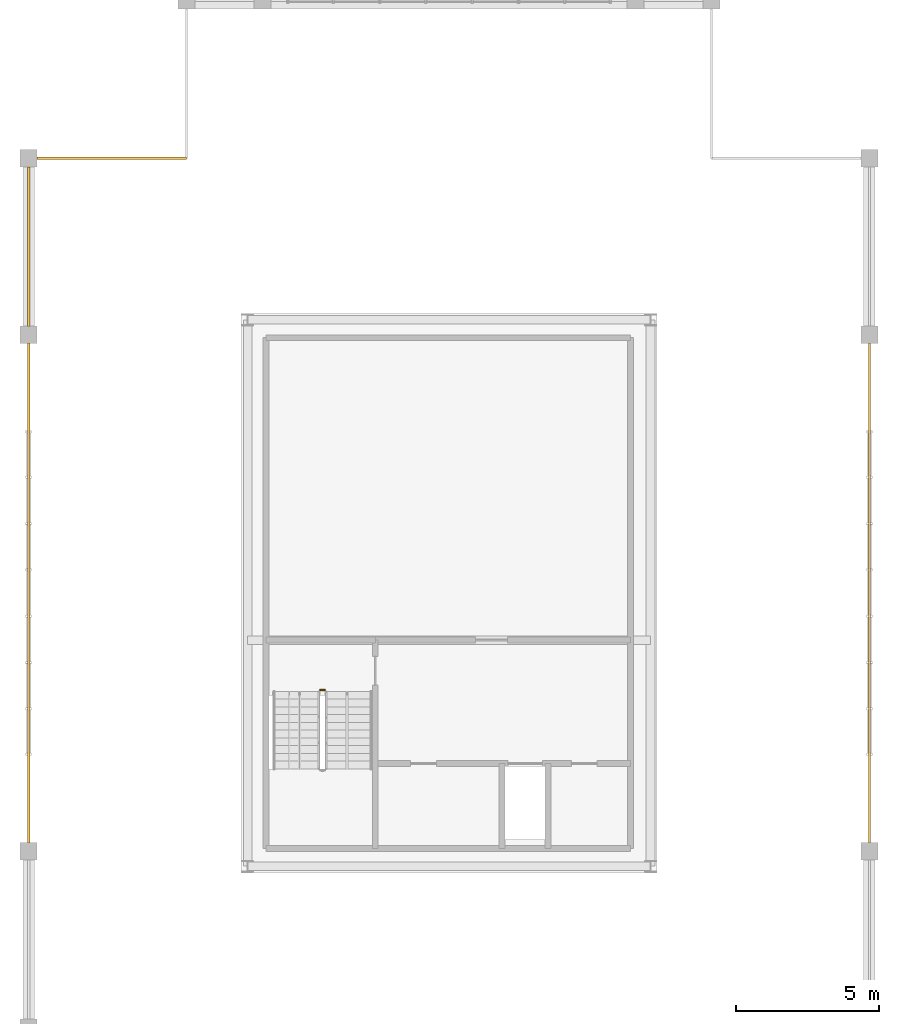
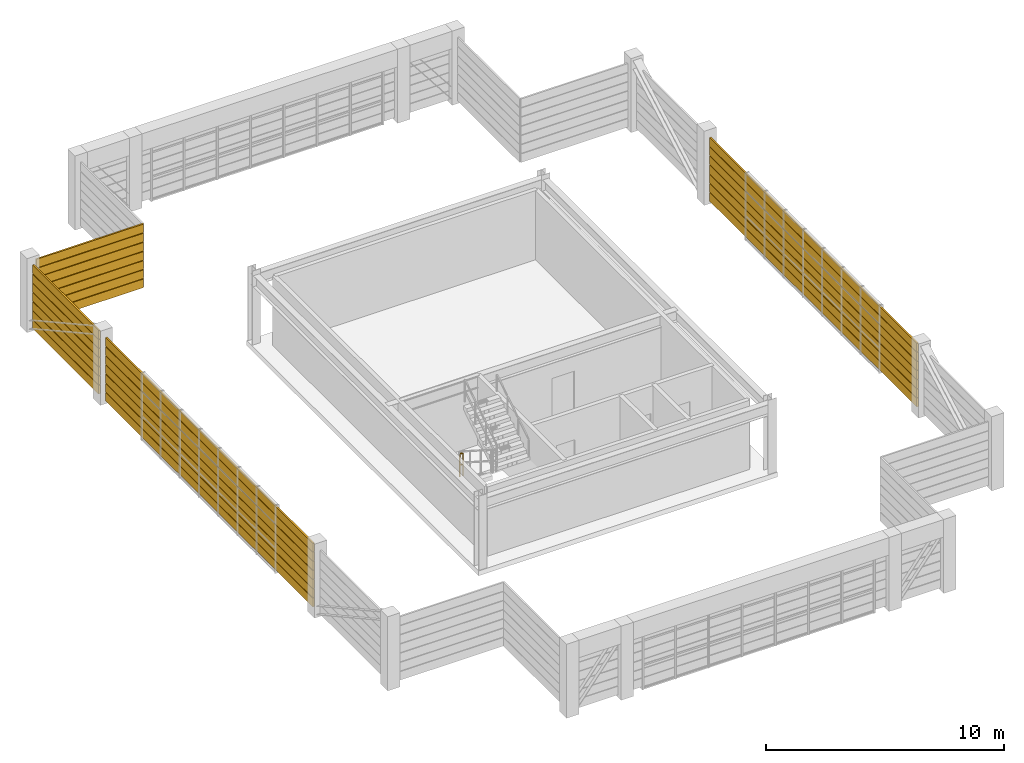
# One storey, part 20 of 21: 28 shading devices, 1 railing.
"""IFC4 building model written with IfcOpenShell, lengths in metres."""

import ifcopenshell
import ifcopenshell.guid

model = None  # the IFC model being written
_history = None  # IfcOwnerHistory: only IFC2X3 demands one
_inside = {}  # id of a spatial element -> (the spatial element, [elements in it])
_under = {}  # id of a project, library or spatial element -> (it, [spatial elements below it])
_declared = {}  # id of a project -> (the project, [libraries it declares])
_typed = {}  # id of a type object -> (the type object, [elements of that type])
_made_of = {}  # id of a material, layer set ... -> (it, [elements and type objects made of it])


def new_model(schema):
    """Start an empty IFC model of exactly this schema.

    Asked for "IFC4X3", IfcOpenShell would pick the latest addendum, in which some entities
    have other attributes; the version numbers below select the first issue.
    IFC2X3 requires an IfcOwnerHistory on every rooted entity: one is made here for all.
    """
    global model, _history
    if schema == "IFC4X3":
        model = ifcopenshell.file(schema_version=(4, 3, 0, 0))
    else:
        model = ifcopenshell.file(schema=schema)
    _inside.clear()
    _under.clear()
    _declared.clear()
    _typed.clear()
    _made_of.clear()
    _history = None
    if model.schema == "IFC2X3":
        org = make("IfcOrganization", Name="unknown")
        user = make(
            "IfcPersonAndOrganization",
            ThePerson=make("IfcPerson", FamilyName="unknown"),
            TheOrganization=org,
        )
        app = make(
            "IfcApplication",
            ApplicationDeveloper=org,
            Version="unknown",
            ApplicationFullName="unknown",
            ApplicationIdentifier="unknown",
        )
        _history = make(
            "IfcOwnerHistory",
            OwningUser=user,
            OwningApplication=app,
            ChangeAction="ADDED",
            CreationDate=0,
        )
    return model


def make(cls, **values):
    """One entity of the class cls with the attributes given. An attribute that is None is left unset."""
    return model.create_entity(
        cls, **{name: value for name, value in values.items() if value is not None}
    )


def rooted(cls, **values):
    """An entity with a GlobalId (a new one), such as an element, a storey or a relation."""
    return make(cls, GlobalId=ifcopenshell.guid.new(), OwnerHistory=_history, **values)


def si_unit(unit_type, name, prefix=None):
    """IfcSIUnit, for example si_unit("LENGTHUNIT", "METRE", prefix="MILLI")."""
    return make("IfcSIUnit", UnitType=unit_type, Prefix=prefix, Name=name)


def assignment(units):
    """IfcUnitAssignment: the units of a project."""
    return None if units is None else make("IfcUnitAssignment", Units=units)


def point(xyz):
    """IfcCartesianPoint."""
    return None if xyz is None else make("IfcCartesianPoint", Coordinates=xyz)


def direction(xyz):
    """IfcDirection."""
    return None if xyz is None else make("IfcDirection", DirectionRatios=xyz)


def frame(location, z_axis=None, x_axis=None):
    """IfcAxis2Placement3D, a coordinate frame: its origin and axes. An axis left out is left unset."""
    return make(
        "IfcAxis2Placement3D",
        Location=point(location),
        Axis=direction(z_axis),
        RefDirection=direction(x_axis),
    )


def frame_2d(location, x_axis=None):
    """IfcAxis2Placement2D, a coordinate frame in the plane: its origin and x axis."""
    return make(
        "IfcAxis2Placement2D", Location=point(location), RefDirection=direction(x_axis)
    )


def origin():
    """The frame at (0, 0, 0) with its axes left unset."""
    return frame((0.0, 0.0, 0.0))


def origin_2d():
    """The frame at (0, 0) in the plane with its x axis left unset."""
    return frame_2d((0.0, 0.0))


def place(relative_to, where):
    """IfcLocalPlacement: puts the frame where relative to a parent placement (None: the world)."""
    return make(
        "IfcLocalPlacement", PlacementRelTo=relative_to, RelativePlacement=where
    )


def context(
    kind, dimensions, precision=None, world=None, true_north=None, identifier=None
):
    """IfcGeometricRepresentationContext, for example the 3D "Model" context."""
    return make(
        "IfcGeometricRepresentationContext",
        ContextIdentifier=identifier,
        ContextType=kind,
        CoordinateSpaceDimension=dimensions,
        Precision=precision,
        WorldCoordinateSystem=world,
        TrueNorth=true_north,
    )


def subcontext(parent, identifier, kind, view, scale=None):
    """IfcGeometricRepresentationSubContext, for example "Body" below "Model"."""
    return make(
        "IfcGeometricRepresentationSubContext",
        ContextIdentifier=identifier,
        ContextType=kind,
        ParentContext=parent,
        TargetScale=scale,
        TargetView=view,
    )


def project(units=None, contexts=None):
    """IfcProject with its units and contexts."""
    return rooted(
        "IfcProject",
        Name="project",
        RepresentationContexts=contexts,
        UnitsInContext=assignment(units),
    )


def spatial(cls, under=None, at=None, **own):
    """A site, building, storey or space (cls), placed at a placement, below another one or the project."""
    s = rooted(cls, ObjectPlacement=at, **own)
    if under is not None:
        _under.setdefault(under.id(), (under, []))[1].append(s)
    return s


def profile(cls, at=None, kind="AREA", **sizes):
    """A parametric profile (cls). Its sizes go by their IFC names, for example OverallWidth=200.0."""
    return make(cls, ProfileType=kind, Position=at, **sizes)


def rectangle(**sizes):
    """IfcRectangleProfileDef."""
    return profile("IfcRectangleProfileDef", **sizes)


def extrude(swept, where, along, depth):
    """IfcExtrudedAreaSolid: the profile swept, set in the frame where, extruded along a direction by depth."""
    return make(
        "IfcExtrudedAreaSolid",
        SweptArea=swept,
        Position=where,
        ExtrudedDirection=direction(along),
        Depth=depth,
    )


def shape(context_of_items, identifier, shape_type, items):
    """IfcShapeRepresentation: the items that make up one representation, for example the "Body"."""
    return make(
        "IfcShapeRepresentation",
        ContextOfItems=context_of_items,
        RepresentationIdentifier=identifier,
        RepresentationType=shape_type,
        Items=items,
    )


def source(mapping_origin, context_of_items, identifier, shape_type, items):
    """IfcRepresentationMap: a shape defined once, which mapped items show again and again."""
    return make(
        "IfcRepresentationMap",
        MappingOrigin=mapping_origin,
        MappedRepresentation=shape(context_of_items, identifier, shape_type, items),
    )


def transform(
    local_origin,
    x_axis=None,
    y_axis=None,
    z_axis=None,
    scale=None,
    scale2=None,
    scale3=None,
    uniform=True,
):
    """IfcCartesianTransformationOperator3D, or its non-uniform kind. x_axis, y_axis, z_axis: its Axis1, 2, 3."""
    if uniform:
        return make(
            "IfcCartesianTransformationOperator3D",
            Axis1=direction(x_axis),
            Axis2=direction(y_axis),
            LocalOrigin=point(local_origin),
            Scale=scale,
            Axis3=direction(z_axis),
        )
    return make(
        "IfcCartesianTransformationOperator3DnonUniform",
        Axis1=direction(x_axis),
        Axis2=direction(y_axis),
        LocalOrigin=point(local_origin),
        Scale=scale,
        Axis3=direction(z_axis),
        Scale2=scale2,
        Scale3=scale3,
    )


def mapped(mapping_source, mapping_target):
    """IfcMappedItem: shows the shape of a source again, moved by a transform."""
    return make(
        "IfcMappedItem", MappingSource=mapping_source, MappingTarget=mapping_target
    )


def material(Name=None, Category=None):
    """IfcMaterial."""
    return make("IfcMaterial", Name=Name, Category=Category)


def material_profile(
    of_material, cross_section, Name=None, Category=None, Priority=None
):
    """IfcMaterialProfile: a cross section and its material."""
    return make(
        "IfcMaterialProfile",
        Name=Name,
        Material=of_material,
        Profile=cross_section,
        Priority=Priority,
        Category=Category,
    )


def profile_set(profiles, Name=None, composite=None):
    """IfcMaterialProfileSet."""
    return make(
        "IfcMaterialProfileSet",
        Name=Name,
        MaterialProfiles=profiles,
        CompositeProfile=composite,
    )


def made_of(thing, what):
    """Note that an element or type object is made of a material, layer set ...; save() writes the relation."""
    if what is not None:
        _made_of.setdefault(what.id(), (what, []))[1].append(thing)
    return thing


def type_object(cls, material=None, **own):
    """A type object (cls), such as IfcWallType, which elements share."""
    return made_of(rooted(cls, **own), material)


def element(
    cls,
    number,
    at=None,
    inside=None,
    cuts=None,
    type_object=None,
    material=None,
    context=None,
    identifier="Body",
    shape_type=None,
    held_by="IfcProductDefinitionShape",
    body=None,
    shapes=None,
    **own,
):
    """One element of the class cls, such as IfcWall. Its Tag is "e" and its number.

    at: its placement. inside: the storey or other place that contains it. cuts: it is an
    opening in that element (IfcRelVoidsElement). A single representation is given by context,
    identifier, shape_type and body (its items); several are given by shapes. held_by: the class
    of the entity that holds the representations. save() writes the other relations.
    """
    e = rooted(cls, Tag="e%d" % number, ObjectPlacement=at, **own)
    if body is not None:
        shapes = [shape(context, identifier, shape_type, body)]
    if shapes is not None:
        e.Representation = make(held_by, Representations=shapes)
    if inside is not None:
        _inside.setdefault(inside.id(), (inside, []))[1].append(e)
    if cuts is not None:
        rooted(
            "IfcRelVoidsElement", RelatingBuildingElement=cuts, RelatedOpeningElement=e
        )
    if type_object is not None:
        _typed.setdefault(type_object.id(), (type_object, []))[1].append(e)
    return made_of(e, material)


def aggregate(whole, parts):
    """IfcRelAggregates: a whole, such as a stair, and the parts it consists of."""
    return rooted("IfcRelAggregates", RelatingObject=whole, RelatedObjects=parts)


def save(model, path):
    """Write the relations noted so far, then the file.

    IfcRelAggregates (storeys below a building ...), IfcRelContainedInSpatialStructure (elements
    in a storey), IfcRelDefinesByType, IfcRelAssociatesMaterial and IfcRelDeclares: one each for
    every whole, place, type object, material and project.
    """
    for whole, parts in _under.values():
        aggregate(whole, parts)
    for where, things in _inside.values():
        rooted(
            "IfcRelContainedInSpatialStructure",
            RelatedElements=things,
            RelatingStructure=where,
        )
    for kind, things in _typed.values():
        rooted("IfcRelDefinesByType", RelatedObjects=things, RelatingType=kind)
    for what, things in _made_of.values():
        rooted("IfcRelAssociatesMaterial", RelatedObjects=things, RelatingMaterial=what)
    for by, libraries in _declared.values():
        rooted("IfcRelDeclares", RelatingContext=by, RelatedDefinitions=libraries)
    model.write(path)


model = new_model("IFC4")

# Units and contexts
model_context = context("Model", 3, precision=1e-05, world=origin(), true_north=direction((0.0, 1.0)))
body_context = subcontext(model_context, "Body", "Model", "MODEL_VIEW")
ifc_project = project(units=[si_unit("LENGTHUNIT", "METRE"), si_unit("AREAUNIT", "SQUARE_METRE"), si_unit("VOLUMEUNIT", "CUBIC_METRE"), si_unit("PLANEANGLEUNIT", "RADIAN"), si_unit("MASSUNIT", "GRAM", prefix="KILO")], contexts=[model_context])

# Site, building, storey
site_placement = place(None, origin())
site = spatial("IfcSite", under=ifc_project, at=site_placement, CompositionType="ELEMENT")
building_placement = place(site_placement, origin())
building = spatial("IfcBuilding", under=site, at=building_placement, Name="Saelheon Loggia Tower", CompositionType="ELEMENT")
storey_placement = place(building_placement, frame((0.0, 0.0, 259.800048828125)))
storey = spatial("IfcBuildingStorey", under=building, at=storey_placement, Name="CR3", CompositionType="ELEMENT", Elevation=259.800048828125)

# Railing
ifc_material_1 = material(Name="Galvanised Steel S275 Stairwell Guardrail", Category="steel")
railing_type = type_object("IfcRailingType", Name="Guard_StairWell_RL_STG", PredefinedType="GUARDRAIL", material=ifc_material_1)
railing_placement = place(storey_placement, frame((33.510009765625, 23.6201171875, 0.0)))
element("IfcRailing", 1, at=railing_placement, inside=storey, type_object=railing_type, Name="CR3 ST5 stair guard 4", PredefinedType="GUARDRAIL", context=body_context, shape_type="SweptSolid", body=[
    extrude(rectangle(XDim=0.048095703125, YDim=0.048095703125, at=origin_2d()), frame((0.033203125, 0.0, 1.17578125), z_axis=(1.0, 0.0, 0.0), x_axis=(0.0, 1.0, 0.0)), (0.0, 0.0, 1.0), 0.093505859375),
    extrude(rectangle(XDim=0.048095703125, YDim=0.048095703125, at=origin_2d()), frame((0.033203125, 0.0, 0.60009765625), z_axis=(1.0, 0.0, 0.0), x_axis=(0.0, 1.0, 0.0)), (0.0, 0.0, 1.0), 0.093505859375),
    extrude(rectangle(XDim=0.0419921875, YDim=0.0419921875, at=origin_2d()), origin(), (0.0, 0.0, 1.0), 1.14794921875),
    extrude(rectangle(XDim=0.0419921875, YDim=0.0419921875, at=origin_2d()), frame((0.159912109375, 0.0, 0.0)), (0.0, 0.0, 1.0), 1.14794921875),
])

# Shading devices
ifc_material_2 = material(Name="Bronze-Anodised Aluminium 6063-T6", Category="aluminium")
ifc_material_profile = material_profile(ifc_material_2, rectangle(XDim=0.080078125, YDim=0.43994140625, at=origin_2d()), Name="Louvre_CrownBlade_250")
ifc_profile_set = profile_set([ifc_material_profile], Name="Bronze-Anodised Aluminium 6063-T6")
shading_device_type = type_object("IfcShadingDeviceType", Name="Louvre_CrownBlade_250", PredefinedType="AWNING", material=ifc_profile_set)
shared_shape_1 = source(origin(), body_context, "Body", "SweptSolid", [
    extrude(rectangle(XDim=0.080078125, YDim=0.43994140625, at=origin_2d()), origin(), (0.0, 0.0, 1.0), 5.205078125),
])
for number, where, z_axis, x_axis, name in (
    (2, (28.85009765625, 42.14990234375, 0.349853515625), (-1.0, 0.0, 0.0), (0.0, -1.0, 0.0), "CR3 Crown Screen Horizontal Blade"),
    (3, (28.85009765625, 42.14990234375, 0.820068359375), (-1.0, 0.0, 0.0), (0.0, -1.0, 0.0), "CR3 Crown Screen Horizontal Blade"),
    (4, (28.85009765625, 42.14990234375, 1.2900390625), (-1.0, 0.0, 0.0), (0.0, -1.0, 0.0), "CR3 Crown Screen Horizontal Blade"),
    (5, (28.85009765625, 42.14990234375, 1.760009765625), (-1.0, 0.0, 0.0), (0.0, -1.0, 0.0), "CR3 Crown Screen Horizontal Blade"),
    (6, (28.85009765625, 42.14990234375, 2.22998046875), (-1.0, 0.0, 0.0), (0.0, -1.0, 0.0), "CR3 Crown Screen Horizontal Blade"),
    (7, (28.85009765625, 42.14990234375, 2.699951171875), (-1.0, 0.0, 0.0), (0.0, -1.0, 0.0), "CR3 Crown Screen Horizontal Blade"),
    (8, (28.85009765625, 42.14990234375, 3.169921875), (-1.0, 0.0, 0.0), (0.0, -1.0, 0.0), "CR3 Crown Screen Horizontal Blade"),
):
    element("IfcShadingDevice", number, at=place(storey_placement, frame(where, z_axis=z_axis, x_axis=x_axis)), inside=storey, type_object=shading_device_type, Name=name, PredefinedType="AWNING", context=body_context, shape_type="MappedRepresentation", body=[
        mapped(shared_shape_1, transform((0.0, 0.0, 0.0), scale=1.0)),
    ])
shared_shape_2 = source(origin(), body_context, "Body", "SweptSolid", [
    extrude(rectangle(XDim=0.080078125, YDim=0.43994140625, at=origin_2d()), origin(), (0.0, 0.0, 1.0), 5.56005859375),
])
for number, where, z_axis, x_axis, name in (
    (9, (23.35009765625, 41.85498046875, 0.349853515625), (0.0, -1.0, 0.0), (1.0, 0.0, 0.0), "CR3 Crown Screen Horizontal Blade"),
    (10, (23.35009765625, 41.85498046875, 0.820068359375), (0.0, -1.0, 0.0), (1.0, 0.0, 0.0), "CR3 Crown Screen Horizontal Blade"),
    (11, (23.35009765625, 41.85498046875, 1.2900390625), (0.0, -1.0, 0.0), (1.0, 0.0, 0.0), "CR3 Crown Screen Horizontal Blade"),
    (12, (23.35009765625, 41.85498046875, 1.760009765625), (0.0, -1.0, 0.0), (1.0, 0.0, 0.0), "CR3 Crown Screen Horizontal Blade"),
    (13, (23.35009765625, 41.85498046875, 2.22998046875), (0.0, -1.0, 0.0), (1.0, 0.0, 0.0), "CR3 Crown Screen Horizontal Blade"),
    (14, (23.35009765625, 41.85498046875, 2.699951171875), (0.0, -1.0, 0.0), (1.0, 0.0, 0.0), "CR3 Crown Screen Horizontal Blade"),
    (15, (23.35009765625, 41.85498046875, 3.169921875), (0.0, -1.0, 0.0), (1.0, 0.0, 0.0), "CR3 Crown Screen Horizontal Blade"),
):
    element("IfcShadingDevice", number, at=place(storey_placement, frame(where, z_axis=z_axis, x_axis=x_axis)), inside=storey, type_object=shading_device_type, Name=name, PredefinedType="AWNING", context=body_context, shape_type="MappedRepresentation", body=[
        mapped(shared_shape_2, transform((0.0, 0.0, 0.0), scale=1.0)),
    ])
shared_shape_3 = source(origin(), body_context, "Body", "SweptSolid", [
    extrude(rectangle(XDim=0.080078125, YDim=0.43994140625, at=origin_2d()), origin(), (0.0, 0.0, 1.0), 17.41015625),
])
for number, where, z_axis, x_axis, name in (
    (16, (52.64990234375, 18.294921875, 0.349853515625), (0.0, 1.0, 0.0), (-1.0, 0.0, 0.0), "CR3 Crown Screen Horizontal Blade"),
    (17, (52.64990234375, 18.294921875, 0.820068359375), (0.0, 1.0, 0.0), (-1.0, 0.0, 0.0), "CR3 Crown Screen Horizontal Blade"),
    (18, (52.64990234375, 18.294921875, 1.2900390625), (0.0, 1.0, 0.0), (-1.0, 0.0, 0.0), "CR3 Crown Screen Horizontal Blade"),
    (19, (52.64990234375, 18.294921875, 1.760009765625), (0.0, 1.0, 0.0), (-1.0, 0.0, 0.0), "CR3 Crown Screen Horizontal Blade"),
    (20, (52.64990234375, 18.294921875, 2.22998046875), (0.0, 1.0, 0.0), (-1.0, 0.0, 0.0), "CR3 Crown Screen Horizontal Blade"),
    (21, (52.64990234375, 18.294921875, 2.699951171875), (0.0, 1.0, 0.0), (-1.0, 0.0, 0.0), "CR3 Crown Screen Horizontal Blade"),
    (22, (52.64990234375, 18.294921875, 3.169921875), (0.0, 1.0, 0.0), (-1.0, 0.0, 0.0), "CR3 Crown Screen Horizontal Blade"),
    (23, (23.35009765625, 35.705078125, 0.349853515625), (0.0, -1.0, 0.0), (1.0, 0.0, 0.0), "CR3 Crown Screen Horizontal Blade"),
    (24, (23.35009765625, 35.705078125, 0.820068359375), (0.0, -1.0, 0.0), (1.0, 0.0, 0.0), "CR3 Crown Screen Horizontal Blade"),
    (25, (23.35009765625, 35.705078125, 1.2900390625), (0.0, -1.0, 0.0), (1.0, 0.0, 0.0), "CR3 Crown Screen Horizontal Blade"),
    (26, (23.35009765625, 35.705078125, 1.760009765625), (0.0, -1.0, 0.0), (1.0, 0.0, 0.0), "CR3 Crown Screen Horizontal Blade"),
    (27, (23.35009765625, 35.705078125, 2.22998046875), (0.0, -1.0, 0.0), (1.0, 0.0, 0.0), "CR3 Crown Screen Horizontal Blade"),
    (28, (23.35009765625, 35.705078125, 2.699951171875), (0.0, -1.0, 0.0), (1.0, 0.0, 0.0), "CR3 Crown Screen Horizontal Blade"),
    (29, (23.35009765625, 35.705078125, 3.169921875), (0.0, -1.0, 0.0), (1.0, 0.0, 0.0), "CR3 Crown Screen Horizontal Blade"),
):
    element("IfcShadingDevice", number, at=place(storey_placement, frame(where, z_axis=z_axis, x_axis=x_axis)), inside=storey, type_object=shading_device_type, Name=name, PredefinedType="AWNING", context=body_context, shape_type="MappedRepresentation", body=[
        mapped(shared_shape_3, transform((0.0, 0.0, 0.0), scale=1.0)),
    ])

save(model, "model.ifc")
